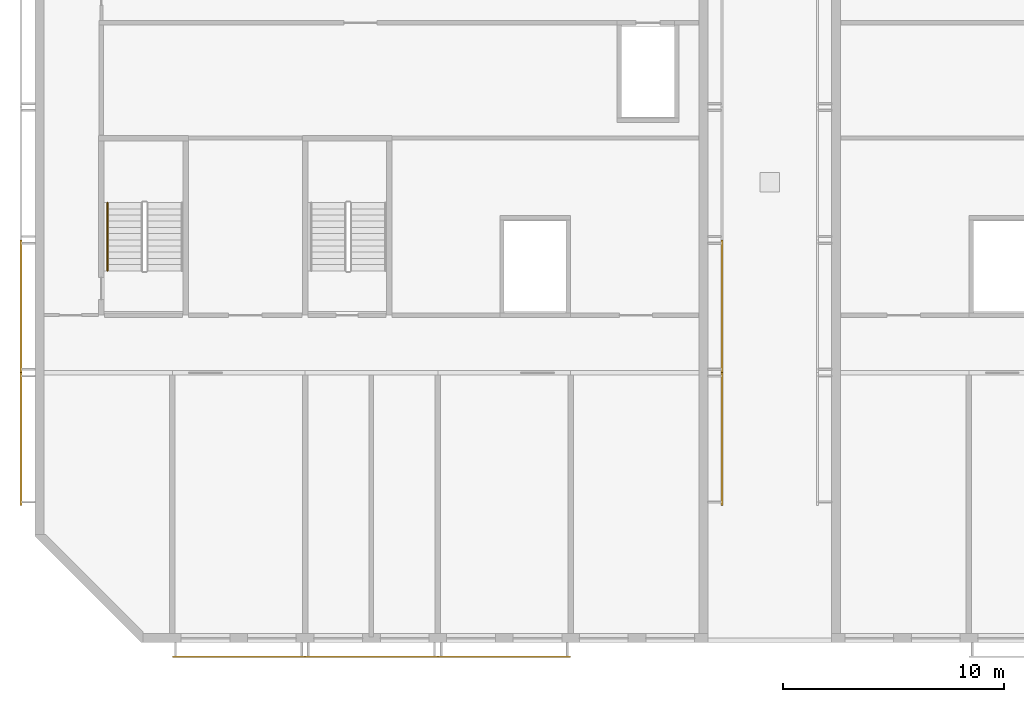
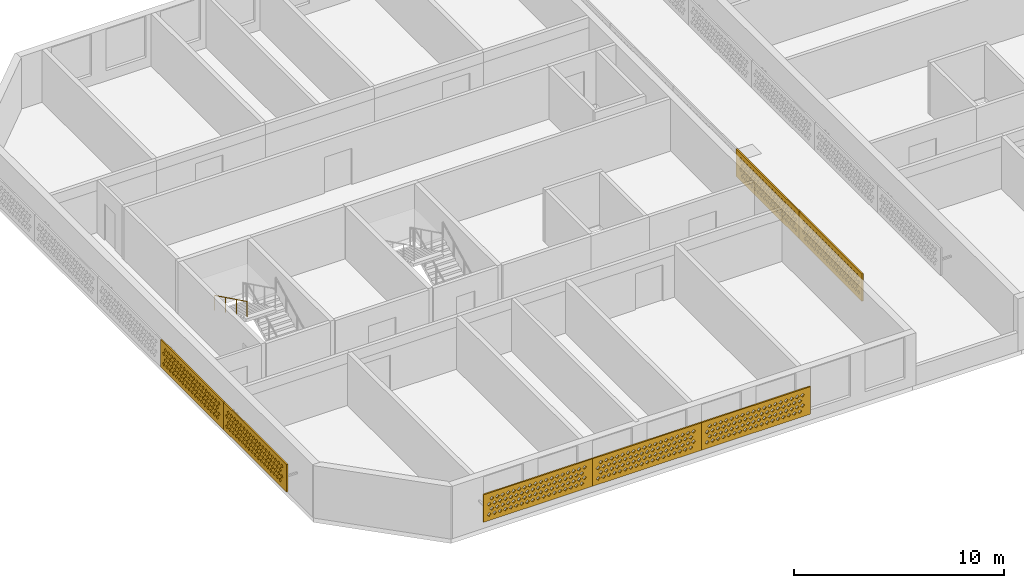
# One storey, part 7 of 18: 7 coverings, 1 railing.
"""IFC4 building model written with IfcOpenShell, lengths in metres."""

from ifc_helpers import new_model, si_unit, direction, frame, origin, origin_2d, place, context, subcontext, project, spatial, polyline, circle, outline, extrude, source, transform, mapped, material, material_profile, profile_set, type_object, element, save


model = new_model("IFC4")

# Units and contexts
model_context = context("Model", 3, precision=1e-05, world=origin(), true_north=direction((0.0, 1.0)))
body_context = subcontext(model_context, "Body", "Model", "MODEL_VIEW")
ifc_project = project(units=[si_unit("LENGTHUNIT", "METRE"), si_unit("AREAUNIT", "SQUARE_METRE"), si_unit("VOLUMEUNIT", "CUBIC_METRE"), si_unit("PLANEANGLEUNIT", "RADIAN"), si_unit("MASSUNIT", "GRAM", prefix="KILO")], contexts=[model_context])

# Site, building, storey
site_placement = place(None, origin())
site = spatial("IfcSite", under=ifc_project, at=site_placement, CompositionType="ELEMENT")
building_placement = place(site_placement, origin())
building = spatial("IfcBuilding", under=site, at=building_placement, Name="Poui Terraces", CompositionType="ELEMENT")
storey_placement = place(building_placement, frame((0.0, 0.0, 272.39990234375)))
storey = spatial("IfcBuildingStorey", under=building, at=storey_placement, Name="L75 CROWN", CompositionType="ELEMENT", Elevation=272.39990234375)

# Railing
ifc_material_1 = material(Name="Stainless steel handrail", Category="steel")
railing_type = type_object("IfcRailingType", Name="STAIR HANDRAIL 900", PredefinedType="HANDRAIL", material=ifc_material_1)
railing_placement = place(storey_placement, frame((21.074951171875, 19.679931640625, 1.78759765625)))
element("IfcRailing", 1, at=railing_placement, inside=storey, type_object=railing_type, Name="L75 CROWN ST-W stair handrail 2", PredefinedType="HANDRAIL", context=body_context, shape_type="SweptSolid", body=[
    extrude(circle(Radius=0.02392578125, at=origin_2d()), frame((0.0, 0.0, 0.8759765625), z_axis=(0.0, -0.897606190399, 0.440798283751), x_axis=(1.0, 0.0, 0.0)), (0.0, 0.0, 1.0), 3.43115234375),
    extrude(circle(Radius=0.02099609375, at=origin_2d()), origin(), (0.0, 0.0, 1.0), 0.851806640625),
    extrude(circle(Radius=0.02099609375, at=origin_2d()), frame((0.0, -1.026611328125, 0.504150390625)), (0.0, 0.0, 1.0), 0.851806640625),
    extrude(circle(Radius=0.02099609375, at=origin_2d()), frame((0.0, -2.05322265625, 1.00830078125)), (0.0, 0.0, 1.0), 0.851806640625),
    extrude(circle(Radius=0.02099609375, at=origin_2d()), frame((0.0, -3.079833984375, 1.512451171875)), (0.0, 0.0, 1.0), 0.851806640625),
])

# Coverings
ifc_material_2 = material(Name="Terracotta screen", Category="masonry")
ifc_material_profile = material_profile(ifc_material_2, outline(polyline([(-3.0, -0.800048828125), (3.0, -0.800048828125), (3.0, 0.800048828125), (-3.0, 0.800048828125), (-3.0, -0.800048828125)]), holes=[polyline([(-2.800048828125, -0.449951171875), (-2.68994140625, -0.56005859375), (-2.580078125, -0.449951171875), (-2.68994140625, -0.340087890625), (-2.800048828125, -0.449951171875)]), polyline([(-2.5, -0.449951171875), (-2.389892578125, -0.56005859375), (-2.280029296875, -0.449951171875), (-2.389892578125, -0.340087890625), (-2.5, -0.449951171875)]), polyline([(-2.199951171875, -0.449951171875), (-2.090087890625, -0.56005859375), (-1.97998046875, -0.449951171875), (-2.090087890625, -0.340087890625), (-2.199951171875, -0.449951171875)]), polyline([(-1.89990234375, -0.449951171875), (-1.7900390625, -0.56005859375), (-1.679931640625, -0.449951171875), (-1.7900390625, -0.340087890625), (-1.89990234375, -0.449951171875)]), polyline([(-1.60009765625, -0.449951171875), (-1.489990234375, -0.56005859375), (-1.3798828125, -0.449951171875), (-1.489990234375, -0.340087890625), (-1.60009765625, -0.449951171875)]), polyline([(-1.300048828125, -0.449951171875), (-1.18994140625, -0.56005859375), (-1.080078125, -0.449951171875), (-1.18994140625, -0.340087890625), (-1.300048828125, -0.449951171875)]), polyline([(-1.0, -0.449951171875), (-0.889892578125, -0.56005859375), (-0.780029296875, -0.449951171875), (-0.889892578125, -0.340087890625), (-1.0, -0.449951171875)]), polyline([(-0.699951171875, -0.449951171875), (-0.590087890625, -0.56005859375), (-0.47998046875, -0.449951171875), (-0.590087890625, -0.340087890625), (-0.699951171875, -0.449951171875)]), polyline([(-0.39990234375, -0.449951171875), (-0.2900390625, -0.56005859375), (-0.179931640625, -0.449951171875), (-0.2900390625, -0.340087890625), (-0.39990234375, -0.449951171875)]), polyline([(-0.10009765625, -0.449951171875), (0.010009765625, -0.56005859375), (0.1201171875, -0.449951171875), (0.010009765625, -0.340087890625), (-0.10009765625, -0.449951171875)]), polyline([(0.199951171875, -0.449951171875), (0.31005859375, -0.56005859375), (0.419921875, -0.449951171875), (0.31005859375, -0.340087890625), (0.199951171875, -0.449951171875)]), polyline([(0.5, -0.449951171875), (0.610107421875, -0.56005859375), (0.719970703125, -0.449951171875), (0.610107421875, -0.340087890625), (0.5, -0.449951171875)]), polyline([(0.800048828125, -0.449951171875), (0.909912109375, -0.56005859375), (1.02001953125, -0.449951171875), (0.909912109375, -0.340087890625), (0.800048828125, -0.449951171875)]), polyline([(1.10009765625, -0.449951171875), (1.2099609375, -0.56005859375), (1.320068359375, -0.449951171875), (1.2099609375, -0.340087890625), (1.10009765625, -0.449951171875)]), polyline([(1.39990234375, -0.449951171875), (1.510009765625, -0.56005859375), (1.6201171875, -0.449951171875), (1.510009765625, -0.340087890625), (1.39990234375, -0.449951171875)]), polyline([(1.699951171875, -0.449951171875), (1.81005859375, -0.56005859375), (1.919921875, -0.449951171875), (1.81005859375, -0.340087890625), (1.699951171875, -0.449951171875)]), polyline([(2.0, -0.449951171875), (2.110107421875, -0.56005859375), (2.219970703125, -0.449951171875), (2.110107421875, -0.340087890625), (2.0, -0.449951171875)]), polyline([(2.300048828125, -0.449951171875), (2.409912109375, -0.56005859375), (2.52001953125, -0.449951171875), (2.409912109375, -0.340087890625), (2.300048828125, -0.449951171875)]), polyline([(-2.64990234375, -0.14990234375), (-2.5400390625, -0.260009765625), (-2.429931640625, -0.14990234375), (-2.5400390625, -0.0400390625), (-2.64990234375, -0.14990234375)]), polyline([(-2.35009765625, -0.14990234375), (-2.239990234375, -0.260009765625), (-2.1298828125, -0.14990234375), (-2.239990234375, -0.0400390625), (-2.35009765625, -0.14990234375)]), polyline([(-2.050048828125, -0.14990234375), (-1.93994140625, -0.260009765625), (-1.830078125, -0.14990234375), (-1.93994140625, -0.0400390625), (-2.050048828125, -0.14990234375)]), polyline([(-1.75, -0.14990234375), (-1.639892578125, -0.260009765625), (-1.530029296875, -0.14990234375), (-1.639892578125, -0.0400390625), (-1.75, -0.14990234375)]), polyline([(-1.449951171875, -0.14990234375), (-1.340087890625, -0.260009765625), (-1.22998046875, -0.14990234375), (-1.340087890625, -0.0400390625), (-1.449951171875, -0.14990234375)]), polyline([(-1.14990234375, -0.14990234375), (-1.0400390625, -0.260009765625), (-0.929931640625, -0.14990234375), (-1.0400390625, -0.0400390625), (-1.14990234375, -0.14990234375)]), polyline([(-0.85009765625, -0.14990234375), (-0.739990234375, -0.260009765625), (-0.6298828125, -0.14990234375), (-0.739990234375, -0.0400390625), (-0.85009765625, -0.14990234375)]), polyline([(-0.550048828125, -0.14990234375), (-0.43994140625, -0.260009765625), (-0.330078125, -0.14990234375), (-0.43994140625, -0.0400390625), (-0.550048828125, -0.14990234375)]), polyline([(-0.25, -0.14990234375), (-0.139892578125, -0.260009765625), (-0.030029296875, -0.14990234375), (-0.139892578125, -0.0400390625), (-0.25, -0.14990234375)]), polyline([(0.050048828125, -0.14990234375), (0.159912109375, -0.260009765625), (0.27001953125, -0.14990234375), (0.159912109375, -0.0400390625), (0.050048828125, -0.14990234375)]), polyline([(0.35009765625, -0.14990234375), (0.4599609375, -0.260009765625), (0.570068359375, -0.14990234375), (0.4599609375, -0.0400390625), (0.35009765625, -0.14990234375)]), polyline([(0.64990234375, -0.14990234375), (0.760009765625, -0.260009765625), (0.8701171875, -0.14990234375), (0.760009765625, -0.0400390625), (0.64990234375, -0.14990234375)]), polyline([(0.949951171875, -0.14990234375), (1.06005859375, -0.260009765625), (1.169921875, -0.14990234375), (1.06005859375, -0.0400390625), (0.949951171875, -0.14990234375)]), polyline([(1.25, -0.14990234375), (1.360107421875, -0.260009765625), (1.469970703125, -0.14990234375), (1.360107421875, -0.0400390625), (1.25, -0.14990234375)]), polyline([(1.550048828125, -0.14990234375), (1.659912109375, -0.260009765625), (1.77001953125, -0.14990234375), (1.659912109375, -0.0400390625), (1.550048828125, -0.14990234375)]), polyline([(1.85009765625, -0.14990234375), (1.9599609375, -0.260009765625), (2.070068359375, -0.14990234375), (1.9599609375, -0.0400390625), (1.85009765625, -0.14990234375)]), polyline([(2.14990234375, -0.14990234375), (2.260009765625, -0.260009765625), (2.3701171875, -0.14990234375), (2.260009765625, -0.0400390625), (2.14990234375, -0.14990234375)]), polyline([(2.449951171875, -0.14990234375), (2.56005859375, -0.260009765625), (2.669921875, -0.14990234375), (2.56005859375, -0.0400390625), (2.449951171875, -0.14990234375)]), polyline([(-2.800048828125, 0.14990234375), (-2.68994140625, 0.0400390625), (-2.580078125, 0.14990234375), (-2.68994140625, 0.260009765625), (-2.800048828125, 0.14990234375)]), polyline([(-2.5, 0.14990234375), (-2.389892578125, 0.0400390625), (-2.280029296875, 0.14990234375), (-2.389892578125, 0.260009765625), (-2.5, 0.14990234375)]), polyline([(-2.199951171875, 0.14990234375), (-2.090087890625, 0.0400390625), (-1.97998046875, 0.14990234375), (-2.090087890625, 0.260009765625), (-2.199951171875, 0.14990234375)]), polyline([(-1.89990234375, 0.14990234375), (-1.7900390625, 0.0400390625), (-1.679931640625, 0.14990234375), (-1.7900390625, 0.260009765625), (-1.89990234375, 0.14990234375)]), polyline([(-1.60009765625, 0.14990234375), (-1.489990234375, 0.0400390625), (-1.3798828125, 0.14990234375), (-1.489990234375, 0.260009765625), (-1.60009765625, 0.14990234375)]), polyline([(-1.300048828125, 0.14990234375), (-1.18994140625, 0.0400390625), (-1.080078125, 0.14990234375), (-1.18994140625, 0.260009765625), (-1.300048828125, 0.14990234375)]), polyline([(-1.0, 0.14990234375), (-0.889892578125, 0.0400390625), (-0.780029296875, 0.14990234375), (-0.889892578125, 0.260009765625), (-1.0, 0.14990234375)]), polyline([(-0.699951171875, 0.14990234375), (-0.590087890625, 0.0400390625), (-0.47998046875, 0.14990234375), (-0.590087890625, 0.260009765625), (-0.699951171875, 0.14990234375)]), polyline([(-0.39990234375, 0.14990234375), (-0.2900390625, 0.0400390625), (-0.179931640625, 0.14990234375), (-0.2900390625, 0.260009765625), (-0.39990234375, 0.14990234375)]), polyline([(-0.10009765625, 0.14990234375), (0.010009765625, 0.0400390625), (0.1201171875, 0.14990234375), (0.010009765625, 0.260009765625), (-0.10009765625, 0.14990234375)]), polyline([(0.199951171875, 0.14990234375), (0.31005859375, 0.0400390625), (0.419921875, 0.14990234375), (0.31005859375, 0.260009765625), (0.199951171875, 0.14990234375)]), polyline([(0.5, 0.14990234375), (0.610107421875, 0.0400390625), (0.719970703125, 0.14990234375), (0.610107421875, 0.260009765625), (0.5, 0.14990234375)]), polyline([(0.800048828125, 0.14990234375), (0.909912109375, 0.0400390625), (1.02001953125, 0.14990234375), (0.909912109375, 0.260009765625), (0.800048828125, 0.14990234375)]), polyline([(1.10009765625, 0.14990234375), (1.2099609375, 0.0400390625), (1.320068359375, 0.14990234375), (1.2099609375, 0.260009765625), (1.10009765625, 0.14990234375)]), polyline([(1.39990234375, 0.14990234375), (1.510009765625, 0.0400390625), (1.6201171875, 0.14990234375), (1.510009765625, 0.260009765625), (1.39990234375, 0.14990234375)]), polyline([(1.699951171875, 0.14990234375), (1.81005859375, 0.0400390625), (1.919921875, 0.14990234375), (1.81005859375, 0.260009765625), (1.699951171875, 0.14990234375)]), polyline([(2.0, 0.14990234375), (2.110107421875, 0.0400390625), (2.219970703125, 0.14990234375), (2.110107421875, 0.260009765625), (2.0, 0.14990234375)]), polyline([(2.300048828125, 0.14990234375), (2.409912109375, 0.0400390625), (2.52001953125, 0.14990234375), (2.409912109375, 0.260009765625), (2.300048828125, 0.14990234375)]), polyline([(-2.64990234375, 0.449951171875), (-2.5400390625, 0.340087890625), (-2.429931640625, 0.449951171875), (-2.5400390625, 0.56005859375), (-2.64990234375, 0.449951171875)]), polyline([(-2.35009765625, 0.449951171875), (-2.239990234375, 0.340087890625), (-2.1298828125, 0.449951171875), (-2.239990234375, 0.56005859375), (-2.35009765625, 0.449951171875)]), polyline([(-2.050048828125, 0.449951171875), (-1.93994140625, 0.340087890625), (-1.830078125, 0.449951171875), (-1.93994140625, 0.56005859375), (-2.050048828125, 0.449951171875)]), polyline([(-1.75, 0.449951171875), (-1.639892578125, 0.340087890625), (-1.530029296875, 0.449951171875), (-1.639892578125, 0.56005859375), (-1.75, 0.449951171875)]), polyline([(-1.449951171875, 0.449951171875), (-1.340087890625, 0.340087890625), (-1.22998046875, 0.449951171875), (-1.340087890625, 0.56005859375), (-1.449951171875, 0.449951171875)]), polyline([(-1.14990234375, 0.449951171875), (-1.0400390625, 0.340087890625), (-0.929931640625, 0.449951171875), (-1.0400390625, 0.56005859375), (-1.14990234375, 0.449951171875)]), polyline([(-0.85009765625, 0.449951171875), (-0.739990234375, 0.340087890625), (-0.6298828125, 0.449951171875), (-0.739990234375, 0.56005859375), (-0.85009765625, 0.449951171875)]), polyline([(-0.550048828125, 0.449951171875), (-0.43994140625, 0.340087890625), (-0.330078125, 0.449951171875), (-0.43994140625, 0.56005859375), (-0.550048828125, 0.449951171875)]), polyline([(-0.25, 0.449951171875), (-0.139892578125, 0.340087890625), (-0.030029296875, 0.449951171875), (-0.139892578125, 0.56005859375), (-0.25, 0.449951171875)]), polyline([(0.050048828125, 0.449951171875), (0.159912109375, 0.340087890625), (0.27001953125, 0.449951171875), (0.159912109375, 0.56005859375), (0.050048828125, 0.449951171875)]), polyline([(0.35009765625, 0.449951171875), (0.4599609375, 0.340087890625), (0.570068359375, 0.449951171875), (0.4599609375, 0.56005859375), (0.35009765625, 0.449951171875)]), polyline([(0.64990234375, 0.449951171875), (0.760009765625, 0.340087890625), (0.8701171875, 0.449951171875), (0.760009765625, 0.56005859375), (0.64990234375, 0.449951171875)]), polyline([(0.949951171875, 0.449951171875), (1.06005859375, 0.340087890625), (1.169921875, 0.449951171875), (1.06005859375, 0.56005859375), (0.949951171875, 0.449951171875)]), polyline([(1.25, 0.449951171875), (1.360107421875, 0.340087890625), (1.469970703125, 0.449951171875), (1.360107421875, 0.56005859375), (1.25, 0.449951171875)]), polyline([(1.550048828125, 0.449951171875), (1.659912109375, 0.340087890625), (1.77001953125, 0.449951171875), (1.659912109375, 0.56005859375), (1.550048828125, 0.449951171875)]), polyline([(1.85009765625, 0.449951171875), (1.9599609375, 0.340087890625), (2.070068359375, 0.449951171875), (1.9599609375, 0.56005859375), (1.85009765625, 0.449951171875)]), polyline([(2.14990234375, 0.449951171875), (2.260009765625, 0.340087890625), (2.3701171875, 0.449951171875), (2.260009765625, 0.56005859375), (2.14990234375, 0.449951171875)]), polyline([(2.449951171875, 0.449951171875), (2.56005859375, 0.340087890625), (2.669921875, 0.449951171875), (2.56005859375, 0.56005859375), (2.449951171875, 0.449951171875)])]), Name="TERRACOTTA SOLAR SCREEN 6000X1600")
ifc_profile_set = profile_set([ifc_material_profile], Name="Terracotta screen")
covering_type = type_object("IfcCoveringType", Name="TERRACOTTA SOLAR SCREEN 6000X1600", PredefinedType="CLADDING", material=ifc_profile_set)
shared_shape = source(origin(), body_context, "Body", "SweptSolid", [
    extrude(outline(polyline([(-3.0, -0.800048828125), (3.0, -0.800048828125), (3.0, 0.800048828125), (-3.0, 0.800048828125), (-3.0, -0.800048828125)]), holes=[polyline([(-2.800048828125, -0.449951171875), (-2.68994140625, -0.56005859375), (-2.580078125, -0.449951171875), (-2.68994140625, -0.340087890625), (-2.800048828125, -0.449951171875)]), polyline([(-2.5, -0.449951171875), (-2.389892578125, -0.56005859375), (-2.280029296875, -0.449951171875), (-2.389892578125, -0.340087890625), (-2.5, -0.449951171875)]), polyline([(-2.199951171875, -0.449951171875), (-2.090087890625, -0.56005859375), (-1.97998046875, -0.449951171875), (-2.090087890625, -0.340087890625), (-2.199951171875, -0.449951171875)]), polyline([(-1.89990234375, -0.449951171875), (-1.7900390625, -0.56005859375), (-1.679931640625, -0.449951171875), (-1.7900390625, -0.340087890625), (-1.89990234375, -0.449951171875)]), polyline([(-1.60009765625, -0.449951171875), (-1.489990234375, -0.56005859375), (-1.3798828125, -0.449951171875), (-1.489990234375, -0.340087890625), (-1.60009765625, -0.449951171875)]), polyline([(-1.300048828125, -0.449951171875), (-1.18994140625, -0.56005859375), (-1.080078125, -0.449951171875), (-1.18994140625, -0.340087890625), (-1.300048828125, -0.449951171875)]), polyline([(-1.0, -0.449951171875), (-0.889892578125, -0.56005859375), (-0.780029296875, -0.449951171875), (-0.889892578125, -0.340087890625), (-1.0, -0.449951171875)]), polyline([(-0.699951171875, -0.449951171875), (-0.590087890625, -0.56005859375), (-0.47998046875, -0.449951171875), (-0.590087890625, -0.340087890625), (-0.699951171875, -0.449951171875)]), polyline([(-0.39990234375, -0.449951171875), (-0.2900390625, -0.56005859375), (-0.179931640625, -0.449951171875), (-0.2900390625, -0.340087890625), (-0.39990234375, -0.449951171875)]), polyline([(-0.10009765625, -0.449951171875), (0.010009765625, -0.56005859375), (0.1201171875, -0.449951171875), (0.010009765625, -0.340087890625), (-0.10009765625, -0.449951171875)]), polyline([(0.199951171875, -0.449951171875), (0.31005859375, -0.56005859375), (0.419921875, -0.449951171875), (0.31005859375, -0.340087890625), (0.199951171875, -0.449951171875)]), polyline([(0.5, -0.449951171875), (0.610107421875, -0.56005859375), (0.719970703125, -0.449951171875), (0.610107421875, -0.340087890625), (0.5, -0.449951171875)]), polyline([(0.800048828125, -0.449951171875), (0.909912109375, -0.56005859375), (1.02001953125, -0.449951171875), (0.909912109375, -0.340087890625), (0.800048828125, -0.449951171875)]), polyline([(1.10009765625, -0.449951171875), (1.2099609375, -0.56005859375), (1.320068359375, -0.449951171875), (1.2099609375, -0.340087890625), (1.10009765625, -0.449951171875)]), polyline([(1.39990234375, -0.449951171875), (1.510009765625, -0.56005859375), (1.6201171875, -0.449951171875), (1.510009765625, -0.340087890625), (1.39990234375, -0.449951171875)]), polyline([(1.699951171875, -0.449951171875), (1.81005859375, -0.56005859375), (1.919921875, -0.449951171875), (1.81005859375, -0.340087890625), (1.699951171875, -0.449951171875)]), polyline([(2.0, -0.449951171875), (2.110107421875, -0.56005859375), (2.219970703125, -0.449951171875), (2.110107421875, -0.340087890625), (2.0, -0.449951171875)]), polyline([(2.300048828125, -0.449951171875), (2.409912109375, -0.56005859375), (2.52001953125, -0.449951171875), (2.409912109375, -0.340087890625), (2.300048828125, -0.449951171875)]), polyline([(-2.64990234375, -0.14990234375), (-2.5400390625, -0.260009765625), (-2.429931640625, -0.14990234375), (-2.5400390625, -0.0400390625), (-2.64990234375, -0.14990234375)]), polyline([(-2.35009765625, -0.14990234375), (-2.239990234375, -0.260009765625), (-2.1298828125, -0.14990234375), (-2.239990234375, -0.0400390625), (-2.35009765625, -0.14990234375)]), polyline([(-2.050048828125, -0.14990234375), (-1.93994140625, -0.260009765625), (-1.830078125, -0.14990234375), (-1.93994140625, -0.0400390625), (-2.050048828125, -0.14990234375)]), polyline([(-1.75, -0.14990234375), (-1.639892578125, -0.260009765625), (-1.530029296875, -0.14990234375), (-1.639892578125, -0.0400390625), (-1.75, -0.14990234375)]), polyline([(-1.449951171875, -0.14990234375), (-1.340087890625, -0.260009765625), (-1.22998046875, -0.14990234375), (-1.340087890625, -0.0400390625), (-1.449951171875, -0.14990234375)]), polyline([(-1.14990234375, -0.14990234375), (-1.0400390625, -0.260009765625), (-0.929931640625, -0.14990234375), (-1.0400390625, -0.0400390625), (-1.14990234375, -0.14990234375)]), polyline([(-0.85009765625, -0.14990234375), (-0.739990234375, -0.260009765625), (-0.6298828125, -0.14990234375), (-0.739990234375, -0.0400390625), (-0.85009765625, -0.14990234375)]), polyline([(-0.550048828125, -0.14990234375), (-0.43994140625, -0.260009765625), (-0.330078125, -0.14990234375), (-0.43994140625, -0.0400390625), (-0.550048828125, -0.14990234375)]), polyline([(-0.25, -0.14990234375), (-0.139892578125, -0.260009765625), (-0.030029296875, -0.14990234375), (-0.139892578125, -0.0400390625), (-0.25, -0.14990234375)]), polyline([(0.050048828125, -0.14990234375), (0.159912109375, -0.260009765625), (0.27001953125, -0.14990234375), (0.159912109375, -0.0400390625), (0.050048828125, -0.14990234375)]), polyline([(0.35009765625, -0.14990234375), (0.4599609375, -0.260009765625), (0.570068359375, -0.14990234375), (0.4599609375, -0.0400390625), (0.35009765625, -0.14990234375)]), polyline([(0.64990234375, -0.14990234375), (0.760009765625, -0.260009765625), (0.8701171875, -0.14990234375), (0.760009765625, -0.0400390625), (0.64990234375, -0.14990234375)]), polyline([(0.949951171875, -0.14990234375), (1.06005859375, -0.260009765625), (1.169921875, -0.14990234375), (1.06005859375, -0.0400390625), (0.949951171875, -0.14990234375)]), polyline([(1.25, -0.14990234375), (1.360107421875, -0.260009765625), (1.469970703125, -0.14990234375), (1.360107421875, -0.0400390625), (1.25, -0.14990234375)]), polyline([(1.550048828125, -0.14990234375), (1.659912109375, -0.260009765625), (1.77001953125, -0.14990234375), (1.659912109375, -0.0400390625), (1.550048828125, -0.14990234375)]), polyline([(1.85009765625, -0.14990234375), (1.9599609375, -0.260009765625), (2.070068359375, -0.14990234375), (1.9599609375, -0.0400390625), (1.85009765625, -0.14990234375)]), polyline([(2.14990234375, -0.14990234375), (2.260009765625, -0.260009765625), (2.3701171875, -0.14990234375), (2.260009765625, -0.0400390625), (2.14990234375, -0.14990234375)]), polyline([(2.449951171875, -0.14990234375), (2.56005859375, -0.260009765625), (2.669921875, -0.14990234375), (2.56005859375, -0.0400390625), (2.449951171875, -0.14990234375)]), polyline([(-2.800048828125, 0.14990234375), (-2.68994140625, 0.0400390625), (-2.580078125, 0.14990234375), (-2.68994140625, 0.260009765625), (-2.800048828125, 0.14990234375)]), polyline([(-2.5, 0.14990234375), (-2.389892578125, 0.0400390625), (-2.280029296875, 0.14990234375), (-2.389892578125, 0.260009765625), (-2.5, 0.14990234375)]), polyline([(-2.199951171875, 0.14990234375), (-2.090087890625, 0.0400390625), (-1.97998046875, 0.14990234375), (-2.090087890625, 0.260009765625), (-2.199951171875, 0.14990234375)]), polyline([(-1.89990234375, 0.14990234375), (-1.7900390625, 0.0400390625), (-1.679931640625, 0.14990234375), (-1.7900390625, 0.260009765625), (-1.89990234375, 0.14990234375)]), polyline([(-1.60009765625, 0.14990234375), (-1.489990234375, 0.0400390625), (-1.3798828125, 0.14990234375), (-1.489990234375, 0.260009765625), (-1.60009765625, 0.14990234375)]), polyline([(-1.300048828125, 0.14990234375), (-1.18994140625, 0.0400390625), (-1.080078125, 0.14990234375), (-1.18994140625, 0.260009765625), (-1.300048828125, 0.14990234375)]), polyline([(-1.0, 0.14990234375), (-0.889892578125, 0.0400390625), (-0.780029296875, 0.14990234375), (-0.889892578125, 0.260009765625), (-1.0, 0.14990234375)]), polyline([(-0.699951171875, 0.14990234375), (-0.590087890625, 0.0400390625), (-0.47998046875, 0.14990234375), (-0.590087890625, 0.260009765625), (-0.699951171875, 0.14990234375)]), polyline([(-0.39990234375, 0.14990234375), (-0.2900390625, 0.0400390625), (-0.179931640625, 0.14990234375), (-0.2900390625, 0.260009765625), (-0.39990234375, 0.14990234375)]), polyline([(-0.10009765625, 0.14990234375), (0.010009765625, 0.0400390625), (0.1201171875, 0.14990234375), (0.010009765625, 0.260009765625), (-0.10009765625, 0.14990234375)]), polyline([(0.199951171875, 0.14990234375), (0.31005859375, 0.0400390625), (0.419921875, 0.14990234375), (0.31005859375, 0.260009765625), (0.199951171875, 0.14990234375)]), polyline([(0.5, 0.14990234375), (0.610107421875, 0.0400390625), (0.719970703125, 0.14990234375), (0.610107421875, 0.260009765625), (0.5, 0.14990234375)]), polyline([(0.800048828125, 0.14990234375), (0.909912109375, 0.0400390625), (1.02001953125, 0.14990234375), (0.909912109375, 0.260009765625), (0.800048828125, 0.14990234375)]), polyline([(1.10009765625, 0.14990234375), (1.2099609375, 0.0400390625), (1.320068359375, 0.14990234375), (1.2099609375, 0.260009765625), (1.10009765625, 0.14990234375)]), polyline([(1.39990234375, 0.14990234375), (1.510009765625, 0.0400390625), (1.6201171875, 0.14990234375), (1.510009765625, 0.260009765625), (1.39990234375, 0.14990234375)]), polyline([(1.699951171875, 0.14990234375), (1.81005859375, 0.0400390625), (1.919921875, 0.14990234375), (1.81005859375, 0.260009765625), (1.699951171875, 0.14990234375)]), polyline([(2.0, 0.14990234375), (2.110107421875, 0.0400390625), (2.219970703125, 0.14990234375), (2.110107421875, 0.260009765625), (2.0, 0.14990234375)]), polyline([(2.300048828125, 0.14990234375), (2.409912109375, 0.0400390625), (2.52001953125, 0.14990234375), (2.409912109375, 0.260009765625), (2.300048828125, 0.14990234375)]), polyline([(-2.64990234375, 0.449951171875), (-2.5400390625, 0.340087890625), (-2.429931640625, 0.449951171875), (-2.5400390625, 0.56005859375), (-2.64990234375, 0.449951171875)]), polyline([(-2.35009765625, 0.449951171875), (-2.239990234375, 0.340087890625), (-2.1298828125, 0.449951171875), (-2.239990234375, 0.56005859375), (-2.35009765625, 0.449951171875)]), polyline([(-2.050048828125, 0.449951171875), (-1.93994140625, 0.340087890625), (-1.830078125, 0.449951171875), (-1.93994140625, 0.56005859375), (-2.050048828125, 0.449951171875)]), polyline([(-1.75, 0.449951171875), (-1.639892578125, 0.340087890625), (-1.530029296875, 0.449951171875), (-1.639892578125, 0.56005859375), (-1.75, 0.449951171875)]), polyline([(-1.449951171875, 0.449951171875), (-1.340087890625, 0.340087890625), (-1.22998046875, 0.449951171875), (-1.340087890625, 0.56005859375), (-1.449951171875, 0.449951171875)]), polyline([(-1.14990234375, 0.449951171875), (-1.0400390625, 0.340087890625), (-0.929931640625, 0.449951171875), (-1.0400390625, 0.56005859375), (-1.14990234375, 0.449951171875)]), polyline([(-0.85009765625, 0.449951171875), (-0.739990234375, 0.340087890625), (-0.6298828125, 0.449951171875), (-0.739990234375, 0.56005859375), (-0.85009765625, 0.449951171875)]), polyline([(-0.550048828125, 0.449951171875), (-0.43994140625, 0.340087890625), (-0.330078125, 0.449951171875), (-0.43994140625, 0.56005859375), (-0.550048828125, 0.449951171875)]), polyline([(-0.25, 0.449951171875), (-0.139892578125, 0.340087890625), (-0.030029296875, 0.449951171875), (-0.139892578125, 0.56005859375), (-0.25, 0.449951171875)]), polyline([(0.050048828125, 0.449951171875), (0.159912109375, 0.340087890625), (0.27001953125, 0.449951171875), (0.159912109375, 0.56005859375), (0.050048828125, 0.449951171875)]), polyline([(0.35009765625, 0.449951171875), (0.4599609375, 0.340087890625), (0.570068359375, 0.449951171875), (0.4599609375, 0.56005859375), (0.35009765625, 0.449951171875)]), polyline([(0.64990234375, 0.449951171875), (0.760009765625, 0.340087890625), (0.8701171875, 0.449951171875), (0.760009765625, 0.56005859375), (0.64990234375, 0.449951171875)]), polyline([(0.949951171875, 0.449951171875), (1.06005859375, 0.340087890625), (1.169921875, 0.449951171875), (1.06005859375, 0.56005859375), (0.949951171875, 0.449951171875)]), polyline([(1.25, 0.449951171875), (1.360107421875, 0.340087890625), (1.469970703125, 0.449951171875), (1.360107421875, 0.56005859375), (1.25, 0.449951171875)]), polyline([(1.550048828125, 0.449951171875), (1.659912109375, 0.340087890625), (1.77001953125, 0.449951171875), (1.659912109375, 0.56005859375), (1.550048828125, 0.449951171875)]), polyline([(1.85009765625, 0.449951171875), (1.9599609375, 0.340087890625), (2.070068359375, 0.449951171875), (1.9599609375, 0.56005859375), (1.85009765625, 0.449951171875)]), polyline([(2.14990234375, 0.449951171875), (2.260009765625, 0.340087890625), (2.3701171875, 0.449951171875), (2.260009765625, 0.56005859375), (2.14990234375, 0.449951171875)]), polyline([(2.449951171875, 0.449951171875), (2.56005859375, 0.340087890625), (2.669921875, 0.449951171875), (2.56005859375, 0.56005859375), (2.449951171875, 0.449951171875)])]), origin(), (0.0, 0.0, 1.0), 0.079833984375),
])
for number, where, z_axis, x_axis, name in (
    (2, (27.0, -0.800048828125, 1.7001953125), (0.0, -1.0, 0.0), (1.0, 0.0, 0.0), "SOLAR SCREEN"),
    (3, (33.0, -0.800048828125, 1.7001953125), (0.0, -1.0, 0.0), (1.0, 0.0, 0.0), "SOLAR SCREEN"),
    (4, (39.0, -0.800048828125, 1.7001953125), (0.0, -1.0, 0.0), (1.0, 0.0, 0.0), "SOLAR SCREEN"),
    (5, (48.800048828125, 9.0, 1.7001953125), (1.0, 0.0, 0.0), (0.0, 1.0, 0.0), "SOLAR SCREEN"),
    (6, (48.800048828125, 15.0, 1.7001953125), (1.0, 0.0, 0.0), (0.0, 1.0, 0.0), "SOLAR SCREEN"),
    (7, (17.199951171875, 9.0, 1.7001953125), (-1.0, 0.0, 0.0), (0.0, -1.0, 0.0), "SOLAR SCREEN"),
    (8, (17.199951171875, 15.0, 1.7001953125), (-1.0, 0.0, 0.0), (0.0, -1.0, 0.0), "SOLAR SCREEN"),
):
    element("IfcCovering", number, at=place(storey_placement, frame(where, z_axis=z_axis, x_axis=x_axis)), inside=storey, type_object=covering_type, Name=name, PredefinedType="CLADDING", context=body_context, shape_type="MappedRepresentation", body=[
        mapped(shared_shape, transform((0.0, 0.0, 0.0))),
    ])

save(model, "model.ifc")
